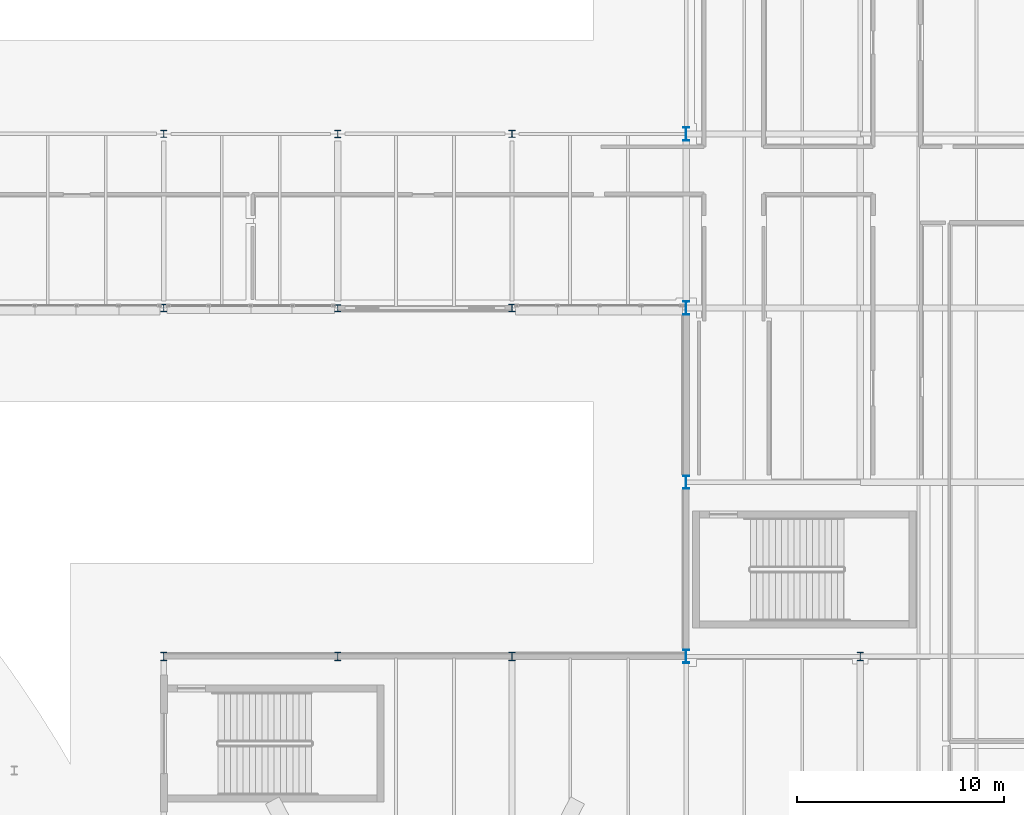
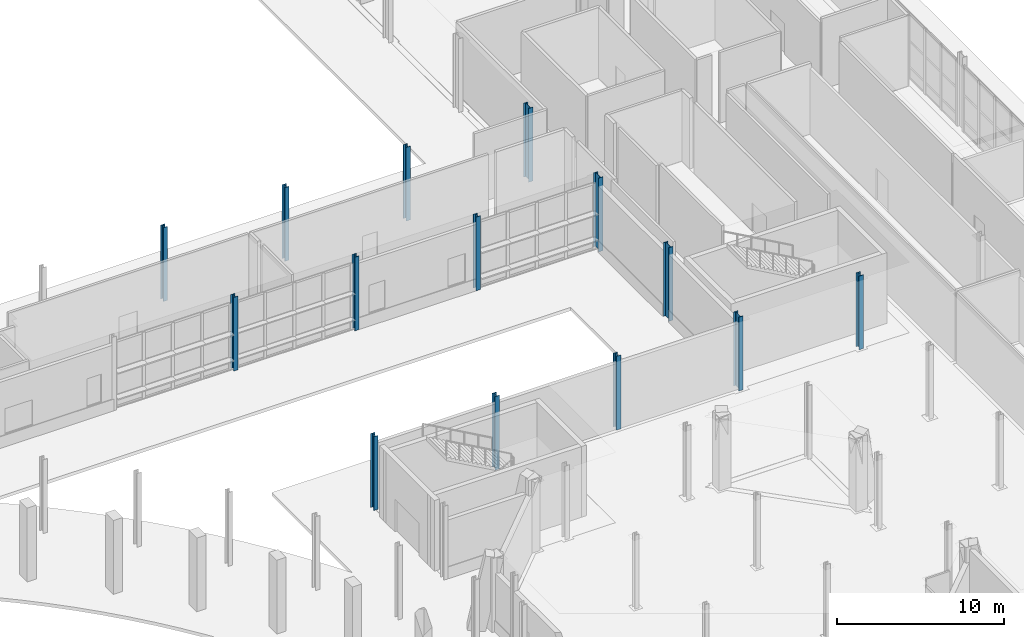
# One storey, part 6 of 124: 14 columns.
"""IFC4 building model written with IfcOpenShell, lengths in metres."""

from ifc_helpers import new_model, si_unit, direction, frame, origin, origin_2d, place, context, subcontext, project, spatial, i_section, extrude, material, material_profile, profile_set, type_object, element, save


model = new_model("IFC4")

# Units and contexts
model_context = context("Model", 3, precision=1e-05, world=origin(), true_north=direction((0.0, 1.0)))
body_context = subcontext(model_context, "Body", "Model", "MODEL_VIEW")
ifc_project = project(units=[si_unit("LENGTHUNIT", "METRE"), si_unit("AREAUNIT", "SQUARE_METRE"), si_unit("VOLUMEUNIT", "CUBIC_METRE"), si_unit("PLANEANGLEUNIT", "RADIAN"), si_unit("MASSUNIT", "GRAM", prefix="KILO")], contexts=[model_context])

# Site, building, storey
site_placement = place(None, origin())
site = spatial("IfcSite", under=ifc_project, at=site_placement, CompositionType="ELEMENT")
building_placement = place(site_placement, origin())
building = spatial("IfcBuilding", under=site, at=building_placement, Name="Mersafa Astral City Hall", CompositionType="ELEMENT")
storey_placement = place(building_placement, origin())
storey = spatial("IfcBuildingStorey", under=building, at=storey_placement, Name="L00", CompositionType="ELEMENT", Elevation=0.0)

# Columns
ifc_material = material(Name="Steel S355", Category="steel")
ifc_material_profile_1 = material_profile(ifc_material, i_section(OverallWidth=0.300048828125, OverallDepth=0.340087890625, WebThickness=0.011962890625, FlangeThickness=0.021484375, FilletRadius=0.027099609375, at=origin_2d()), Name="HEB 340")
ifc_profile_set_1 = profile_set([ifc_material_profile_1], Name="Steel S355")
column_type_1 = type_object("IfcColumnType", Name="STR-COL-HEB340", PredefinedType="COLUMN", material=ifc_profile_set_1)
for number, where, z_axis, x_axis, name in (
    (1, (67.199951171875, 58.800048828125, 0.0), (0.0, 0.0, 1.0), (1.0, 0.0, 0.0), "L00 Structural column G-08-07"),
    (2, (75.60009765625, 50.39990234375, 0.0), (0.0, 0.0, 1.0), (1.0, 0.0, 0.0), "L00 Structural column G-09-06"),
    (3, (84.0, 58.800048828125, 0.0), (0.0, 0.0, 1.0), (1.0, 0.0, 0.0), "L00 Structural column G-10-07"),
):
    element("IfcColumn", number, at=place(storey_placement, frame(where, z_axis=z_axis, x_axis=x_axis)), inside=storey, type_object=column_type_1, Name=name, PredefinedType="COLUMN", context=body_context, shape_type="SweptSolid", body=[
        extrude(i_section(OverallWidth=0.300048828125, OverallDepth=0.340087890625, WebThickness=0.011962890625, FlangeThickness=0.021484375, FilletRadius=0.027099609375, at=origin_2d()), origin(), (0.0, 0.0, 1.0), 5.39990234375),
    ])
ifc_material_profile_2 = material_profile(ifc_material, i_section(OverallWidth=0.300048828125, OverallDepth=0.360107421875, WebThickness=0.012451171875, FlangeThickness=0.0224609375, FilletRadius=0.027099609375, at=origin_2d()), Name="HEB 360")
ifc_profile_set_2 = profile_set([ifc_material_profile_2], Name="Steel S355")
column_type_2 = type_object("IfcColumnType", Name="STR-COL-HEB360", PredefinedType="COLUMN", material=ifc_profile_set_2)
for number, where, z_axis, x_axis, name in (
    (4, (67.199951171875, 50.39990234375, 0.0), (0.0, 0.0, 1.0), (1.0, 0.0, 0.0), "L00 Structural column G-08-06"),
    (5, (75.60009765625, 58.800048828125, 0.0), (0.0, 0.0, 1.0), (1.0, 0.0, 0.0), "L00 Structural column G-09-07"),
    (6, (84.0, 50.39990234375, 0.0), (0.0, 0.0, 1.0), (1.0, 0.0, 0.0), "L00 Structural column G-10-06"),
):
    element("IfcColumn", number, at=place(storey_placement, frame(where, z_axis=z_axis, x_axis=x_axis)), inside=storey, type_object=column_type_2, Name=name, PredefinedType="COLUMN", context=body_context, shape_type="SweptSolid", body=[
        extrude(i_section(OverallWidth=0.300048828125, OverallDepth=0.360107421875, WebThickness=0.012451171875, FlangeThickness=0.0224609375, FilletRadius=0.027099609375, at=origin_2d()), origin(), (0.0, 0.0, 1.0), 5.39990234375),
    ])
ifc_material_profile_3 = material_profile(ifc_material, i_section(OverallWidth=0.300048828125, OverallDepth=0.39990234375, WebThickness=0.013427734375, FlangeThickness=0.02392578125, FilletRadius=0.027099609375, at=origin_2d()), Name="HEB 400")
ifc_profile_set_3 = profile_set([ifc_material_profile_3], Name="Steel S355")
column_type_3 = type_object("IfcColumnType", Name="STR-COL-HEB400", PredefinedType="COLUMN", material=ifc_profile_set_3)
for number, where, z_axis, x_axis, name in (
    (7, (67.199951171875, 33.60009765625, 0.0), (0.0, 0.0, 1.0), (1.0, 0.0, 0.0), "L00 Structural column G-08-04"),
    (8, (75.60009765625, 33.60009765625, 0.0), (0.0, 0.0, 1.0), (1.0, 0.0, 0.0), "L00 Structural column G-09-04"),
    (9, (84.0, 33.60009765625, 0.0), (0.0, 0.0, 1.0), (1.0, 0.0, 0.0), "L00 Structural column G-10-04"),
    (10, (100.800048828125, 33.60009765625, 0.0), (0.0, 0.0, 1.0), (1.0, 0.0, 0.0), "L00 Structural column G-12-04"),
):
    element("IfcColumn", number, at=place(storey_placement, frame(where, z_axis=z_axis, x_axis=x_axis)), inside=storey, type_object=column_type_3, Name=name, PredefinedType="COLUMN", context=body_context, shape_type="SweptSolid", body=[
        extrude(i_section(OverallWidth=0.300048828125, OverallDepth=0.39990234375, WebThickness=0.013427734375, FlangeThickness=0.02392578125, FilletRadius=0.027099609375, at=origin_2d()), origin(), (0.0, 0.0, 1.0), 5.39990234375),
    ])
ifc_material_profile_4 = material_profile(ifc_material, i_section(OverallWidth=0.300048828125, OverallDepth=0.64990234375, WebThickness=0.01611328125, FlangeThickness=0.031005859375, FilletRadius=0.027099609375, at=origin_2d()), Name="HEB 650")
ifc_profile_set_4 = profile_set([ifc_material_profile_4], Name="Steel S355")
column_type_4 = type_object("IfcColumnType", Name="STR-COL-HEB650", PredefinedType="COLUMN", material=ifc_profile_set_4)
for number, where, z_axis, x_axis, name in (
    (11, (92.39990234375, 33.60009765625, 0.0), (0.0, 0.0, 1.0), (1.0, 0.0, 0.0), "L00 Structural column G-11-04"),
    (12, (92.39990234375, 42.0, 0.0), (0.0, 0.0, 1.0), (1.0, 0.0, 0.0), "L00 Structural column G-11-05"),
    (13, (92.39990234375, 50.39990234375, 0.0), (0.0, 0.0, 1.0), (1.0, 0.0, 0.0), "L00 Structural column G-11-06"),
    (14, (92.39990234375, 58.800048828125, 0.0), (0.0, 0.0, 1.0), (1.0, 0.0, 0.0), "L00 Structural column G-11-07"),
):
    element("IfcColumn", number, at=place(storey_placement, frame(where, z_axis=z_axis, x_axis=x_axis)), inside=storey, type_object=column_type_4, Name=name, PredefinedType="COLUMN", context=body_context, shape_type="SweptSolid", body=[
        extrude(i_section(OverallWidth=0.300048828125, OverallDepth=0.64990234375, WebThickness=0.01611328125, FlangeThickness=0.031005859375, FilletRadius=0.027099609375, at=origin_2d()), origin(), (0.0, 0.0, 1.0), 5.39990234375),
    ])

save(model, "model.ifc")
